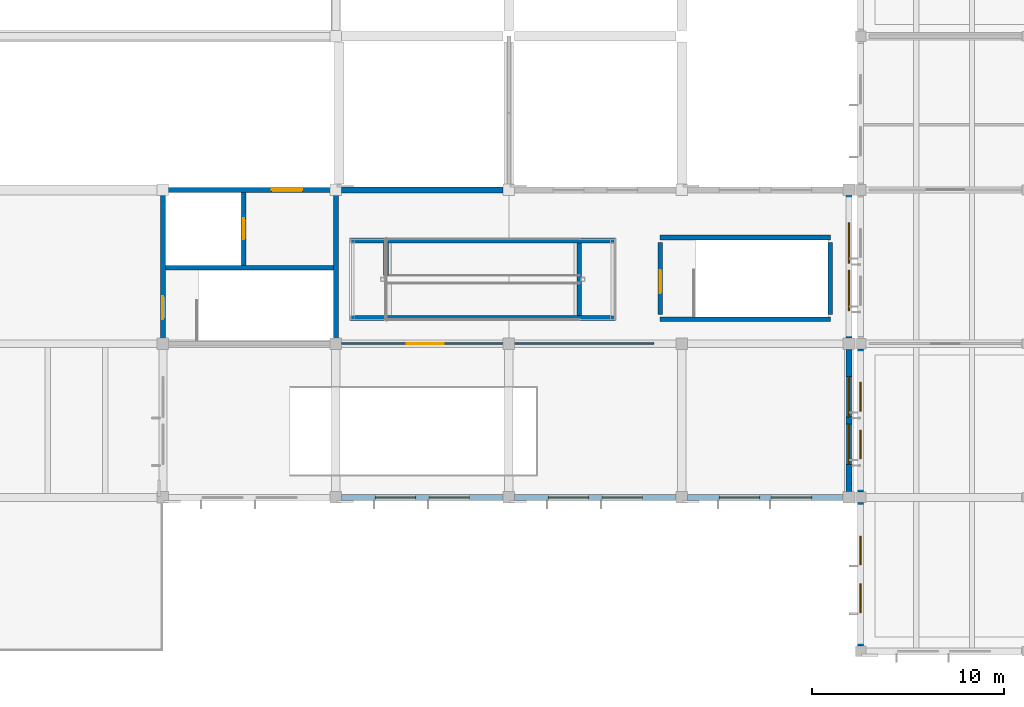
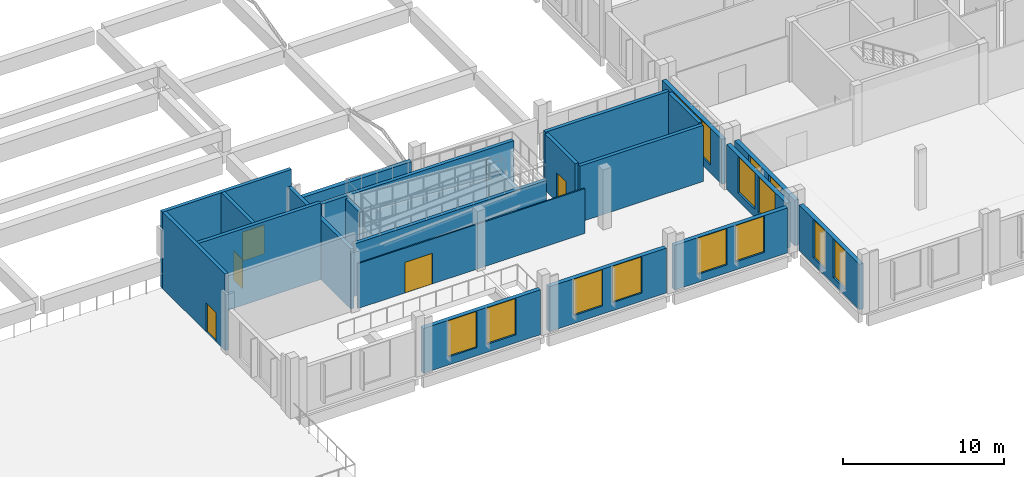
# One storey, part 35 of 63: 22 walls, 14 windows, 5 doors, 19 openings.
"""IFC4 building model written with IfcOpenShell, lengths in metres."""

from ifc_helpers import new_model, si_unit, direction, frame, frame_2d, origin, place, context, subcontext, project, spatial, rectangle, extrude, material, layer, layer_set, type_object, element, fill, save


model = new_model("IFC4")

# Units and contexts
model_context = context("Model", 3, precision=1e-05, world=origin(), true_north=direction((0.0, 1.0)))
body_context = subcontext(model_context, "Body", "Model", "MODEL_VIEW")
ifc_project = project(units=[si_unit("LENGTHUNIT", "METRE"), si_unit("AREAUNIT", "SQUARE_METRE"), si_unit("VOLUMEUNIT", "CUBIC_METRE"), si_unit("PLANEANGLEUNIT", "RADIAN"), si_unit("MASSUNIT", "GRAM", prefix="KILO")], contexts=[model_context])

# Site, building, storey
site_placement = place(None, origin())
site = spatial("IfcSite", under=ifc_project, at=site_placement, CompositionType="ELEMENT")
building_placement = place(site_placement, origin())
building = spatial("IfcBuilding", under=site, at=building_placement, Name="Zacnel Wholesale Market", CompositionType="ELEMENT")
storey_placement = place(building_placement, frame((0.0, 0.0, 11.199951171875)))
storey = spatial("IfcBuildingStorey", under=building, at=storey_placement, Name="L03", CompositionType="ELEMENT", Elevation=11.199951171875)

# Wall, opening, door
ifc_material_1 = material(Name="Concrete C40/50", Category="concrete")
ifc_layer_1 = layer(ifc_material_1, 0.25)
ifc_layer_set_1 = layer_set([ifc_layer_1], Name="Concrete C40/50")
wall_type_1 = type_object("IfcWallType", Name="WL-CORE-SW250", PredefinedType="SOLIDWALL", material=ifc_layer_set_1)
wall_1_placement = place(storey_placement, frame((107.875, 24.0, 0.0), z_axis=(0.0, 0.0, 1.0), x_axis=(1.0, 0.0, 0.0)))
wall_1 = element("IfcWall", 1, at=wall_1_placement, inside=storey, type_object=wall_type_1, Name="Core C8 north shear wall L03", PredefinedType="SOLIDWALL", context=body_context, shape_type="SweptSolid", body=[
    extrude(rectangle(XDim=9.25, YDim=0.25, at=frame_2d((4.625, 0.0))), origin(), (0.0, 0.0, 1.0), 5.800048828125),
])
opening_1_placement = place(wall_1_placement, frame((5.77490234375, 0.0, 0.0)))
opening_1 = element("IfcOpeningElement", 2, at=opening_1_placement, cuts=wall_1, Name="Opening FD-02", PredefinedType="OPENING", context=body_context, shape_type="SweptSolid", body=[
    extrude(rectangle(XDim=1.60009765625, YDim=2.199951171875, at=frame_2d((0.800048828125, 1.10009765625))), frame((0.0, 0.135009765625, 0.0), z_axis=(0.0, -1.0, 0.0), x_axis=(1.0, 0.0, 0.0)), (0.0, 0.0, 1.0), 0.27001953125),
])
ifc_material_2 = material(Name="Galvanized steel", Category="steel")
door_type_1 = type_object("IfcDoorType", Name="DR-FIRE-LOBBY-1600", OperationType="NOTDEFINED", PredefinedType="DOOR", material=ifc_material_2)
door_1_placement = place(opening_1_placement, origin())
door_1 = element("IfcDoor", 3, at=door_1_placement, inside=storey, type_object=door_type_1, Name="Core lift lobby fire door C8 L03", OperationType="SINGLE_SWING_RIGHT", OverallHeight=2.199951171875, OverallWidth=1.60009765625, PredefinedType="DOOR", context=body_context, shape_type="SweptSolid", body=[
    extrude(rectangle(XDim=1.60009765625, YDim=2.199951171875, at=frame_2d((0.800048828125, 1.10009765625))), frame((0.0, 0.02490234375, 0.0), z_axis=(0.0, -1.0, 0.0), x_axis=(1.0, 0.0, 0.0)), (0.0, 0.0, 1.0), 0.050048828125),
])
fill(opening_1, door_1)

wall_2_placement = place(storey_placement, frame((108.0, 16.125, 0.0), z_axis=(0.0, 0.0, 1.0), x_axis=(0.0, 1.0, 0.0)))
wall_2 = element("IfcWall", 4, at=wall_2_placement, inside=storey, type_object=wall_type_1, Name="Core C8 west shear wall L03", PredefinedType="SOLIDWALL", context=body_context, shape_type="SweptSolid", body=[
    extrude(rectangle(XDim=7.75, YDim=0.25, at=frame_2d((3.875, 0.0))), origin(), (0.0, 0.0, 1.0), 5.800048828125),
])
opening_2_placement = place(wall_2_placement, frame((1.14990234375, 0.0, 0.0)))
opening_2 = element("IfcOpeningElement", 5, at=opening_2_placement, cuts=wall_2, Name="Opening FD-01", PredefinedType="OPENING", context=body_context, shape_type="SweptSolid", body=[
    extrude(rectangle(XDim=1.199951171875, YDim=2.199951171875, at=frame_2d((0.60009765625, 1.10009765625))), frame((0.0, 0.135009765625, 0.0), z_axis=(0.0, -1.0, 0.0), x_axis=(1.0, 0.0, 0.0)), (0.0, 0.0, 1.0), 0.27001953125),
])
ifc_material_3 = material(Name="Galvanized steel", Category="steel")
door_type_2 = type_object("IfcDoorType", Name="DR-FIRE-STAIR-1200", OperationType="NOTDEFINED", PredefinedType="DOOR", material=ifc_material_3)
door_2_placement = place(opening_2_placement, origin())
door_2 = element("IfcDoor", 6, at=door_2_placement, inside=storey, type_object=door_type_2, Name="Protected stair fire door C8 L03", OperationType="SINGLE_SWING_LEFT", OverallHeight=2.199951171875, OverallWidth=1.199951171875, PredefinedType="DOOR", context=body_context, shape_type="SweptSolid", body=[
    extrude(rectangle(XDim=1.199951171875, YDim=2.199951171875, at=frame_2d((0.60009765625, 1.10009765625))), frame((0.0, 0.02490234375, 0.0), z_axis=(0.0, -1.0, 0.0), x_axis=(1.0, 0.0, 0.0)), (0.0, 0.0, 1.0), 0.050048828125),
])
fill(opening_2, door_2)

# Walls
wall_3_placement = place(storey_placement, frame((117.0, 16.125, 0.0), z_axis=(0.0, 0.0, 1.0), x_axis=(0.0, 1.0, 0.0)))
element("IfcWall", 7, at=wall_3_placement, inside=storey, type_object=wall_type_1, Name="Core C8 east shear wall L03", PredefinedType="SOLIDWALL", context=body_context, shape_type="SweptSolid", body=[
    extrude(rectangle(XDim=7.75, YDim=0.25, at=frame_2d((3.875, 0.0))), origin(), (0.0, 0.0, 1.0), 4.550048828125),
])
wall_4_placement = place(storey_placement, frame((108.125, 19.949951171875, 0.0), z_axis=(0.0, 0.0, 1.0), x_axis=(1.0, 0.0, 0.0)))
element("IfcWall", 8, at=wall_4_placement, inside=storey, type_object=wall_type_1, Name="Core C8 stair-shaft shear wall L03", PredefinedType="SOLIDWALL", context=body_context, shape_type="SweptSolid", body=[
    extrude(rectangle(XDim=8.75, YDim=0.25, at=frame_2d((4.375, 0.0))), origin(), (0.0, 0.0, 1.0), 5.800048828125),
])

# Wall, opening, door
wall_5_placement = place(storey_placement, frame((112.199951171875, 20.074951171875, 0.0), z_axis=(0.0, 0.0, 1.0), x_axis=(0.0, 1.0, 0.0)))
wall_5 = element("IfcWall", 9, at=wall_5_placement, inside=storey, type_object=wall_type_1, Name="Core C8 lift shaft front wall L03", PredefinedType="SOLIDWALL", context=body_context, shape_type="SweptSolid", body=[
    extrude(rectangle(XDim=3.800048828125, YDim=0.25, at=frame_2d((1.89990234375, 0.0))), origin(), (0.0, 0.0, 1.0), 5.800048828125),
])
opening_3_placement = place(wall_5_placement, frame((1.35009765625, 0.0, 0.0)))
opening_3 = element("IfcOpeningElement", 10, at=opening_3_placement, cuts=wall_5, Name="Opening LD-01", PredefinedType="OPENING", context=body_context, shape_type="SweptSolid", body=[
    extrude(rectangle(XDim=1.10009765625, YDim=2.199951171875, at=frame_2d((0.550048828125, 1.10009765625))), frame((0.0, 0.135009765625, 0.0), z_axis=(0.0, -1.0, 0.0), x_axis=(1.0, 0.0, 0.0)), (0.0, 0.0, 1.0), 0.27001953125),
])
ifc_material_4 = material(Name="Galvanized steel", Category="steel")
door_type_3 = type_object("IfcDoorType", Name="DR-LIFT-PASS-1100", OperationType="NOTDEFINED", PredefinedType="DOOR", material=ifc_material_4)
door_3_placement = place(opening_3_placement, origin())
door_3 = element("IfcDoor", 11, at=door_3_placement, inside=storey, type_object=door_type_3, Name="Lift landing door LP-04 L03", OperationType="SLIDING_TO_LEFT", OverallHeight=2.199951171875, OverallWidth=1.10009765625, PredefinedType="DOOR", context=body_context, shape_type="SweptSolid", body=[
    extrude(rectangle(XDim=1.10009765625, YDim=2.199951171875, at=frame_2d((0.550048828125, 1.10009765625))), frame((0.0, 0.02490234375, 0.0), z_axis=(0.0, -1.0, 0.0), x_axis=(1.0, 0.0, 0.0)), (0.0, 0.0, 1.0), 0.050048828125),
])
fill(opening_3, door_3)

# Walls
for number, where, z_axis, x_axis, name in (
    (12, (133.875, 17.27490234375, 0.0), (0.0, 0.0, 1.0), (1.0, 0.0, 0.0), "Stair ST-25 south enclosure wall L03"),
    (13, (133.875, 21.52490234375, 0.0), (0.0, 0.0, 1.0), (1.0, 0.0, 0.0), "Stair ST-25 north enclosure wall L03"),
):
    element("IfcWall", number, at=place(storey_placement, frame(where, z_axis=z_axis, x_axis=x_axis)), inside=storey, type_object=wall_type_1, Name=name, PredefinedType="SOLIDWALL", context=body_context, shape_type="SweptSolid", body=[
        extrude(rectangle(XDim=8.85009765625, YDim=0.25, at=frame_2d((4.425048828125, 0.0))), origin(), (0.0, 0.0, 1.0), 4.25),
    ])

# Wall, opening, door
wall_6_placement = place(storey_placement, frame((133.875, 17.52490234375, 0.0), z_axis=(0.0, 0.0, 1.0), x_axis=(0.0, 1.0, 0.0)))
wall_6 = element("IfcWall", 14, at=wall_6_placement, inside=storey, type_object=wall_type_1, Name="Stair ST-25 west enclosure wall L03", PredefinedType="SOLIDWALL", context=body_context, shape_type="SweptSolid", body=[
    extrude(rectangle(XDim=3.75, YDim=0.25, at=frame_2d((1.875, 0.0))), origin(), (0.0, 0.0, 1.0), 4.25),
])
opening_4_placement = place(wall_6_placement, frame((1.10009765625, 0.0, 0.0)))
opening_4 = element("IfcOpeningElement", 15, at=opening_4_placement, cuts=wall_6, Name="Opening FD-01", PredefinedType="OPENING", context=body_context, shape_type="SweptSolid", body=[
    extrude(rectangle(XDim=1.199951171875, YDim=2.199951171875, at=frame_2d((0.60009765625, 1.10009765625))), frame((0.0, 0.135009765625, 0.0), z_axis=(0.0, -1.0, 0.0), x_axis=(1.0, 0.0, 0.0)), (0.0, 0.0, 1.0), 0.27001953125),
])
door_4_placement = place(opening_4_placement, origin())
door_4 = element("IfcDoor", 16, at=door_4_placement, inside=storey, type_object=door_type_2, Name="Stair ST-25 fire door L03", OperationType="SINGLE_SWING_RIGHT", OverallHeight=2.199951171875, OverallWidth=1.199951171875, PredefinedType="DOOR", context=body_context, shape_type="SweptSolid", body=[
    extrude(rectangle(XDim=1.199951171875, YDim=2.199951171875, at=frame_2d((0.60009765625, 1.10009765625))), frame((0.0, 0.02490234375, 0.0), z_axis=(0.0, -1.0, 0.0), x_axis=(1.0, 0.0, 0.0)), (0.0, 0.0, 1.0), 0.050048828125),
])
fill(opening_4, door_4)

# Walls
wall_7_placement = place(storey_placement, frame((142.72509765625, 17.52490234375, 0.0), z_axis=(0.0, 0.0, 1.0), x_axis=(0.0, 1.0, 0.0)))
element("IfcWall", 17, at=wall_7_placement, inside=storey, type_object=wall_type_1, Name="Stair ST-25 east enclosure wall L03", PredefinedType="SOLIDWALL", context=body_context, shape_type="SweptSolid", body=[
    extrude(rectangle(XDim=3.75, YDim=0.25, at=frame_2d((1.875, 0.0))), origin(), (0.0, 0.0, 1.0), 4.25),
])
wall_8_placement = place(storey_placement, frame((117.75, 17.330078125, 0.0), z_axis=(0.0, 0.0, 1.0), x_axis=(1.0, 0.0, 0.0)))
element("IfcWall", 18, at=wall_8_placement, inside=storey, type_object=wall_type_1, Name="Accessible ramp RP-05 (RMP-PROM-3) Mayan limestone plinth wall S", PredefinedType="SOLIDWALL", context=body_context, shape_type="SweptSolid", body=[
    extrude(rectangle(XDim=13.76611328125, YDim=0.25, at=frame_2d((6.883056640625, 0.0))), origin(), (0.0, 0.0, 1.0), 3.96142578125),
])
wall_9_placement = place(storey_placement, frame((117.75, 21.3701171875, 0.0), z_axis=(0.0, 0.0, 1.0), x_axis=(1.0, 0.0, 0.0)))
element("IfcWall", 19, at=wall_9_placement, inside=storey, type_object=wall_type_1, Name="Accessible ramp RP-05 (RMP-PROM-3) Mayan limestone plinth wall N", PredefinedType="SOLIDWALL", context=body_context, shape_type="SweptSolid", body=[
    extrude(rectangle(XDim=13.76611328125, YDim=0.25, at=frame_2d((6.883056640625, 0.0))), origin(), (0.0, 0.0, 1.0), 4.530029296875),
])
wall_10_placement = place(storey_placement, frame((129.666015625, 17.455078125, 0.0), z_axis=(0.0, 0.0, 1.0), x_axis=(0.0, 1.0, 0.0)))
element("IfcWall", 20, at=wall_10_placement, inside=storey, type_object=wall_type_1, Name="Accessible ramp RP-05 (RMP-PROM-3) end plinth wall 7", PredefinedType="SOLIDWALL", context=body_context, shape_type="SweptSolid", body=[
    extrude(rectangle(XDim=3.7900390625, YDim=0.25, at=frame_2d((1.89501953125, 0.0))), origin(), (0.0, 0.0, 1.0), 3.766357421875),
])
wall_11_placement = place(storey_placement, frame((119.60009765625, 19.550048828125, 0.0), z_axis=(0.0, 0.0, 1.0), x_axis=(0.0, 1.0, 0.0)))
element("IfcWall", 21, at=wall_11_placement, inside=storey, type_object=wall_type_1, Name="Accessible ramp RP-05 (RMP-PROM-3) end plinth wall 8", PredefinedType="SOLIDWALL", context=body_context, shape_type="SweptSolid", body=[
    extrude(rectangle(XDim=1.695068359375, YDim=0.25, at=frame_2d((0.84765625, 0.0))), origin(), (0.0, 0.0, 1.0), 4.3349609375),
])

# Wall, openings, windows
ifc_material_5 = material(Name="Precast concrete C40/50 (Cancun limestone aggregate)", Category="masonry")
ifc_layer_2 = layer(ifc_material_5, 0.300048828125)
ifc_layer_set_2 = layer_set([ifc_layer_2], Name="Precast concrete C40/50 (Cancun limestone aggregate)")
wall_type_2 = type_object("IfcWallType", Name="WL-EXT-LIME-300", PredefinedType="SOLIDWALL", material=ifc_layer_set_2)
wall_12_placement = place(storey_placement, frame((117.300048828125, 8.0, 0.0), z_axis=(0.0, 0.0, 1.0), x_axis=(1.0, 0.0, 0.0)))
wall_12 = element("IfcWall", 22, at=wall_12_placement, inside=storey, type_object=wall_type_2, Name="Exterior wall L03-0368", PredefinedType="SOLIDWALL", context=body_context, shape_type="SweptSolid", body=[
    extrude(rectangle(XDim=8.39990234375, YDim=0.300048828125, at=frame_2d((4.199951171875, 0.0))), origin(), (0.0, 0.0, 1.0), 3.400146484375),
])
opening_5_placement = place(wall_12_placement, frame((1.75, 0.0, 0.610107421875)))
opening_5 = element("IfcOpeningElement", 23, at=opening_5_placement, cuts=wall_12, Name="Opening W-05", PredefinedType="OPENING", context=body_context, shape_type="SweptSolid", body=[
    extrude(rectangle(XDim=2.10009765625, YDim=2.75, at=frame_2d((1.050048828125, 1.375))), frame((0.0, 0.159912109375, 0.0), z_axis=(0.0, -1.0, 0.0), x_axis=(1.0, 0.0, 0.0)), (0.0, 0.0, 1.0), 0.320068359375),
])
opening_6_placement = place(wall_12_placement, frame((4.550048828125, 0.0, 0.610107421875)))
opening_6 = element("IfcOpeningElement", 24, at=opening_6_placement, cuts=wall_12, Name="Opening W-05", PredefinedType="OPENING", context=body_context, shape_type="SweptSolid", body=[
    extrude(rectangle(XDim=2.10009765625, YDim=2.75, at=frame_2d((1.050048828125, 1.375))), frame((0.0, 0.159912109375, 0.0), z_axis=(0.0, -1.0, 0.0), x_axis=(1.0, 0.0, 0.0)), (0.0, 0.0, 1.0), 0.320068359375),
])
ifc_material_6 = material(Name="Laminated hurricane-impact low-E insulated glass", Category="glass")
window_type_1 = type_object("IfcWindowType", Name="WIN-LAB-2100X2750", PartitioningType="DOUBLE_PANEL_VERTICAL", PredefinedType="WINDOW", material=ifc_material_6)
window_1_placement = place(opening_5_placement, origin())
window_1 = element("IfcWindow", 25, at=window_1_placement, inside=storey, type_object=window_type_1, Name="Window L03-0369", OverallHeight=2.75, OverallWidth=2.10009765625, PartitioningType="DOUBLE_PANEL_VERTICAL", PredefinedType="WINDOW", context=body_context, shape_type="SweptSolid", body=[
    extrude(rectangle(XDim=2.10009765625, YDim=2.75, at=frame_2d((1.050048828125, 1.375))), frame((0.0, 0.030029296875, 0.0), z_axis=(0.0, -1.0, 0.0), x_axis=(1.0, 0.0, 0.0)), (0.0, 0.0, 1.0), 0.06005859375),
])
fill(opening_5, window_1)
window_2_placement = place(opening_6_placement, origin())
window_2 = element("IfcWindow", 26, at=window_2_placement, inside=storey, type_object=window_type_1, Name="Window L03-0370", OverallHeight=2.75, OverallWidth=2.10009765625, PartitioningType="DOUBLE_PANEL_VERTICAL", PredefinedType="WINDOW", context=body_context, shape_type="SweptSolid", body=[
    extrude(rectangle(XDim=2.10009765625, YDim=2.75, at=frame_2d((1.050048828125, 1.375))), frame((0.0, 0.030029296875, 0.0), z_axis=(0.0, -1.0, 0.0), x_axis=(1.0, 0.0, 0.0)), (0.0, 0.0, 1.0), 0.06005859375),
])
fill(opening_6, window_2)

wall_13_placement = place(storey_placement, frame((126.300048828125, 8.0, 0.0), z_axis=(0.0, 0.0, 1.0), x_axis=(1.0, 0.0, 0.0)))
wall_13 = element("IfcWall", 27, at=wall_13_placement, inside=storey, type_object=wall_type_2, Name="Exterior wall L03-0369", PredefinedType="SOLIDWALL", context=body_context, shape_type="SweptSolid", body=[
    extrude(rectangle(XDim=8.39990234375, YDim=0.300048828125, at=frame_2d((4.199951171875, 0.0))), origin(), (0.0, 0.0, 1.0), 3.400146484375),
])
opening_7_placement = place(wall_13_placement, frame((1.75, 0.0, 0.610107421875)))
opening_7 = element("IfcOpeningElement", 28, at=opening_7_placement, cuts=wall_13, Name="Opening W-05", PredefinedType="OPENING", context=body_context, shape_type="SweptSolid", body=[
    extrude(rectangle(XDim=2.10009765625, YDim=2.75, at=frame_2d((1.050048828125, 1.375))), frame((0.0, 0.159912109375, 0.0), z_axis=(0.0, -1.0, 0.0), x_axis=(1.0, 0.0, 0.0)), (0.0, 0.0, 1.0), 0.320068359375),
])
opening_8_placement = place(wall_13_placement, frame((4.550048828125, 0.0, 0.610107421875)))
opening_8 = element("IfcOpeningElement", 29, at=opening_8_placement, cuts=wall_13, Name="Opening W-05", PredefinedType="OPENING", context=body_context, shape_type="SweptSolid", body=[
    extrude(rectangle(XDim=2.10009765625, YDim=2.75, at=frame_2d((1.050048828125, 1.375))), frame((0.0, 0.159912109375, 0.0), z_axis=(0.0, -1.0, 0.0), x_axis=(1.0, 0.0, 0.0)), (0.0, 0.0, 1.0), 0.320068359375),
])
window_3_placement = place(opening_7_placement, origin())
window_3 = element("IfcWindow", 30, at=window_3_placement, inside=storey, type_object=window_type_1, Name="Window L03-0371", OverallHeight=2.75, OverallWidth=2.10009765625, PartitioningType="DOUBLE_PANEL_VERTICAL", PredefinedType="WINDOW", context=body_context, shape_type="SweptSolid", body=[
    extrude(rectangle(XDim=2.10009765625, YDim=2.75, at=frame_2d((1.050048828125, 1.375))), frame((0.0, 0.030029296875, 0.0), z_axis=(0.0, -1.0, 0.0), x_axis=(1.0, 0.0, 0.0)), (0.0, 0.0, 1.0), 0.06005859375),
])
fill(opening_7, window_3)
window_4_placement = place(opening_8_placement, origin())
window_4 = element("IfcWindow", 31, at=window_4_placement, inside=storey, type_object=window_type_1, Name="Window L03-0372", OverallHeight=2.75, OverallWidth=2.10009765625, PartitioningType="DOUBLE_PANEL_VERTICAL", PredefinedType="WINDOW", context=body_context, shape_type="SweptSolid", body=[
    extrude(rectangle(XDim=2.10009765625, YDim=2.75, at=frame_2d((1.050048828125, 1.375))), frame((0.0, 0.030029296875, 0.0), z_axis=(0.0, -1.0, 0.0), x_axis=(1.0, 0.0, 0.0)), (0.0, 0.0, 1.0), 0.06005859375),
])
fill(opening_8, window_4)

wall_14_placement = place(storey_placement, frame((135.300048828125, 8.0, 0.0), z_axis=(0.0, 0.0, 1.0), x_axis=(1.0, 0.0, 0.0)))
wall_14 = element("IfcWall", 32, at=wall_14_placement, inside=storey, type_object=wall_type_2, Name="Exterior wall L03-0370", PredefinedType="SOLIDWALL", context=body_context, shape_type="SweptSolid", body=[
    extrude(rectangle(XDim=8.099853515625, YDim=0.300048828125, at=frame_2d((4.0498046875, 0.0))), origin(), (0.0, 0.0, 1.0), 3.400146484375),
])
opening_9_placement = place(wall_14_placement, frame((1.64990234375, 0.0, 0.610107421875)))
opening_9 = element("IfcOpeningElement", 33, at=opening_9_placement, cuts=wall_14, Name="Opening W-05", PredefinedType="OPENING", context=body_context, shape_type="SweptSolid", body=[
    extrude(rectangle(XDim=2.10009765625, YDim=2.75, at=frame_2d((1.050048828125, 1.375))), frame((0.0, 0.159912109375, 0.0), z_axis=(0.0, -1.0, 0.0), x_axis=(1.0, 0.0, 0.0)), (0.0, 0.0, 1.0), 0.320068359375),
])
opening_10_placement = place(wall_14_placement, frame((4.35009765625, 0.0, 0.610107421875)))
opening_10 = element("IfcOpeningElement", 34, at=opening_10_placement, cuts=wall_14, Name="Opening W-05", PredefinedType="OPENING", context=body_context, shape_type="SweptSolid", body=[
    extrude(rectangle(XDim=2.10009765625, YDim=2.75, at=frame_2d((1.050048828125, 1.375))), frame((0.0, 0.159912109375, 0.0), z_axis=(0.0, -1.0, 0.0), x_axis=(1.0, 0.0, 0.0)), (0.0, 0.0, 1.0), 0.320068359375),
])
window_5_placement = place(opening_9_placement, origin())
window_5 = element("IfcWindow", 35, at=window_5_placement, inside=storey, type_object=window_type_1, Name="Window L03-0373", OverallHeight=2.75, OverallWidth=2.10009765625, PartitioningType="DOUBLE_PANEL_VERTICAL", PredefinedType="WINDOW", context=body_context, shape_type="SweptSolid", body=[
    extrude(rectangle(XDim=2.10009765625, YDim=2.75, at=frame_2d((1.050048828125, 1.375))), frame((0.0, 0.030029296875, 0.0), z_axis=(0.0, -1.0, 0.0), x_axis=(1.0, 0.0, 0.0)), (0.0, 0.0, 1.0), 0.06005859375),
])
fill(opening_9, window_5)
window_6_placement = place(opening_10_placement, origin())
window_6 = element("IfcWindow", 36, at=window_6_placement, inside=storey, type_object=window_type_1, Name="Window L03-0374", OverallHeight=2.75, OverallWidth=2.10009765625, PartitioningType="DOUBLE_PANEL_VERTICAL", PredefinedType="WINDOW", context=body_context, shape_type="SweptSolid", body=[
    extrude(rectangle(XDim=2.10009765625, YDim=2.75, at=frame_2d((1.050048828125, 1.375))), frame((0.0, 0.030029296875, 0.0), z_axis=(0.0, -1.0, 0.0), x_axis=(1.0, 0.0, 0.0)), (0.0, 0.0, 1.0), 0.06005859375),
])
fill(opening_10, window_6)

# Wall
wall_15_placement = place(storey_placement, frame((117.300048828125, 24.0, 0.0), z_axis=(0.0, 0.0, 1.0), x_axis=(1.0, 0.0, 0.0)))
element("IfcWall", 37, at=wall_15_placement, inside=storey, type_object=wall_type_2, Name="Exterior wall L03-0371", PredefinedType="SOLIDWALL", context=body_context, shape_type="SweptSolid", body=[
    extrude(rectangle(XDim=8.39990234375, YDim=0.300048828125, at=frame_2d((4.199951171875, 0.0))), origin(), (0.0, 0.0, 1.0), 3.400146484375),
])

# Wall, openings, windows
wall_16_placement = place(storey_placement, frame((143.699951171875, 8.300048828125, 0.0), z_axis=(0.0, 0.0, 1.0), x_axis=(0.0, 1.0, 0.0)))
wall_16 = element("IfcWall", 38, at=wall_16_placement, inside=storey, type_object=wall_type_2, Name="Exterior wall L03-0375", PredefinedType="SOLIDWALL", context=body_context, shape_type="SweptSolid", body=[
    extrude(rectangle(XDim=7.39990234375, YDim=0.300048828125, at=frame_2d((3.699951171875, 0.0))), origin(), (0.0, 0.0, 1.0), 3.400146484375),
])
opening_11_placement = place(wall_16_placement, frame((1.4169921875, 0.0, 0.610107421875)))
opening_11 = element("IfcOpeningElement", 39, at=opening_11_placement, cuts=wall_16, Name="Opening W-05", PredefinedType="OPENING", context=body_context, shape_type="SweptSolid", body=[
    extrude(rectangle(XDim=2.10009765625, YDim=2.75, at=frame_2d((1.050048828125, 1.375))), frame((0.0, 0.159912109375, 0.0), z_axis=(0.0, -1.0, 0.0), x_axis=(1.0, 0.0, 0.0)), (0.0, 0.0, 1.0), 0.320068359375),
])
opening_12_placement = place(wall_16_placement, frame((3.883056640625, 0.0, 0.610107421875)))
opening_12 = element("IfcOpeningElement", 40, at=opening_12_placement, cuts=wall_16, Name="Opening W-05", PredefinedType="OPENING", context=body_context, shape_type="SweptSolid", body=[
    extrude(rectangle(XDim=2.10009765625, YDim=2.75, at=frame_2d((1.050048828125, 1.375))), frame((0.0, 0.159912109375, 0.0), z_axis=(0.0, -1.0, 0.0), x_axis=(1.0, 0.0, 0.0)), (0.0, 0.0, 1.0), 0.320068359375),
])
window_7_placement = place(opening_11_placement, origin())
window_7 = element("IfcWindow", 41, at=window_7_placement, inside=storey, type_object=window_type_1, Name="Window L03-0381", OverallHeight=2.75, OverallWidth=2.10009765625, PartitioningType="DOUBLE_PANEL_VERTICAL", PredefinedType="WINDOW", context=body_context, shape_type="SweptSolid", body=[
    extrude(rectangle(XDim=2.10009765625, YDim=2.75, at=frame_2d((1.050048828125, 1.375))), frame((0.0, 0.030029296875, 0.0), z_axis=(0.0, -1.0, 0.0), x_axis=(1.0, 0.0, 0.0)), (0.0, 0.0, 1.0), 0.06005859375),
])
fill(opening_11, window_7)
window_8_placement = place(opening_12_placement, origin())
window_8 = element("IfcWindow", 42, at=window_8_placement, inside=storey, type_object=window_type_1, Name="Window L03-0382", OverallHeight=2.75, OverallWidth=2.10009765625, PartitioningType="DOUBLE_PANEL_VERTICAL", PredefinedType="WINDOW", context=body_context, shape_type="SweptSolid", body=[
    extrude(rectangle(XDim=2.10009765625, YDim=2.75, at=frame_2d((1.050048828125, 1.375))), frame((0.0, 0.030029296875, 0.0), z_axis=(0.0, -1.0, 0.0), x_axis=(1.0, 0.0, 0.0)), (0.0, 0.0, 1.0), 0.06005859375),
])
fill(opening_12, window_8)

wall_17_placement = place(storey_placement, frame((143.699951171875, 16.300048828125, 0.0), z_axis=(0.0, 0.0, 1.0), x_axis=(0.0, 1.0, 0.0)))
wall_17 = element("IfcWall", 43, at=wall_17_placement, inside=storey, type_object=wall_type_2, Name="Exterior wall L03-0376", PredefinedType="SOLIDWALL", context=body_context, shape_type="SweptSolid", body=[
    extrude(rectangle(XDim=7.39990234375, YDim=0.300048828125, at=frame_2d((3.699951171875, 0.0))), origin(), (0.0, 0.0, 1.0), 3.400146484375),
])
opening_13_placement = place(wall_17_placement, frame((1.4169921875, 0.0, 0.610107421875)))
opening_13 = element("IfcOpeningElement", 44, at=opening_13_placement, cuts=wall_17, Name="Opening W-05", PredefinedType="OPENING", context=body_context, shape_type="SweptSolid", body=[
    extrude(rectangle(XDim=2.10009765625, YDim=2.75, at=frame_2d((1.050048828125, 1.375))), frame((0.0, 0.159912109375, 0.0), z_axis=(0.0, -1.0, 0.0), x_axis=(1.0, 0.0, 0.0)), (0.0, 0.0, 1.0), 0.320068359375),
])
opening_14_placement = place(wall_17_placement, frame((3.883056640625, 0.0, 0.610107421875)))
opening_14 = element("IfcOpeningElement", 45, at=opening_14_placement, cuts=wall_17, Name="Opening W-05", PredefinedType="OPENING", context=body_context, shape_type="SweptSolid", body=[
    extrude(rectangle(XDim=2.10009765625, YDim=2.75, at=frame_2d((1.050048828125, 1.375))), frame((0.0, 0.159912109375, 0.0), z_axis=(0.0, -1.0, 0.0), x_axis=(1.0, 0.0, 0.0)), (0.0, 0.0, 1.0), 0.320068359375),
])
window_9_placement = place(opening_13_placement, origin())
window_9 = element("IfcWindow", 46, at=window_9_placement, inside=storey, type_object=window_type_1, Name="Window L03-0383", OverallHeight=2.75, OverallWidth=2.10009765625, PartitioningType="DOUBLE_PANEL_VERTICAL", PredefinedType="WINDOW", context=body_context, shape_type="SweptSolid", body=[
    extrude(rectangle(XDim=2.10009765625, YDim=2.75, at=frame_2d((1.050048828125, 1.375))), frame((0.0, 0.030029296875, 0.0), z_axis=(0.0, -1.0, 0.0), x_axis=(1.0, 0.0, 0.0)), (0.0, 0.0, 1.0), 0.06005859375),
])
fill(opening_13, window_9)
window_10_placement = place(opening_14_placement, origin())
window_10 = element("IfcWindow", 47, at=window_10_placement, inside=storey, type_object=window_type_1, Name="Window L03-0384", OverallHeight=2.75, OverallWidth=2.10009765625, PartitioningType="DOUBLE_PANEL_VERTICAL", PredefinedType="WINDOW", context=body_context, shape_type="SweptSolid", body=[
    extrude(rectangle(XDim=2.10009765625, YDim=2.75, at=frame_2d((1.050048828125, 1.375))), frame((0.0, 0.030029296875, 0.0), z_axis=(0.0, -1.0, 0.0), x_axis=(1.0, 0.0, 0.0)), (0.0, 0.0, 1.0), 0.06005859375),
])
fill(opening_14, window_10)

wall_18_placement = place(storey_placement, frame((144.300048828125, 0.27490234375, 0.0), z_axis=(0.0, 0.0, 1.0), x_axis=(0.0, 1.0, 0.0)))
wall_18 = element("IfcWall", 48, at=wall_18_placement, inside=storey, type_object=wall_type_2, Name="Exterior wall L03-0391", PredefinedType="SOLIDWALL", context=body_context, shape_type="SweptSolid", body=[
    extrude(rectangle(XDim=7.4501953125, YDim=0.300048828125, at=frame_2d((3.72509765625, 0.0))), origin(), (0.0, 0.0, 1.0), 3.449951171875),
])
opening_15_placement = place(wall_18_placement, frame((1.73291015625, 0.0, 0.510009765625)))
opening_15 = element("IfcOpeningElement", 49, at=opening_15_placement, cuts=wall_18, Name="Opening W-04", PredefinedType="OPENING", context=body_context, shape_type="SweptSolid", body=[
    extrude(rectangle(XDim=1.5, YDim=2.89990234375, at=frame_2d((0.75, 1.449951171875))), frame((0.0, 0.159912109375, 0.0), z_axis=(0.0, -1.0, 0.0), x_axis=(1.0, 0.0, 0.0)), (0.0, 0.0, 1.0), 0.320068359375),
])
opening_16_placement = place(wall_18_placement, frame((4.217041015625, 0.0, 0.510009765625)))
opening_16 = element("IfcOpeningElement", 50, at=opening_16_placement, cuts=wall_18, Name="Opening W-04", PredefinedType="OPENING", context=body_context, shape_type="SweptSolid", body=[
    extrude(rectangle(XDim=1.5, YDim=2.89990234375, at=frame_2d((0.75, 1.449951171875))), frame((0.0, 0.159912109375, 0.0), z_axis=(0.0, -1.0, 0.0), x_axis=(1.0, 0.0, 0.0)), (0.0, 0.0, 1.0), 0.320068359375),
])
ifc_material_7 = material(Name="Laminated hurricane-impact low-E insulated glass", Category="glass")
window_type_2 = type_object("IfcWindowType", Name="WIN-DEC-1500X2900", PartitioningType="DOUBLE_PANEL_VERTICAL", PredefinedType="WINDOW", material=ifc_material_7)
window_11_placement = place(opening_15_placement, origin())
window_11 = element("IfcWindow", 51, at=window_11_placement, inside=storey, type_object=window_type_2, Name="Window L03-0407", OverallHeight=2.89990234375, OverallWidth=1.5, PartitioningType="DOUBLE_PANEL_VERTICAL", PredefinedType="WINDOW", context=body_context, shape_type="SweptSolid", body=[
    extrude(rectangle(XDim=1.5, YDim=2.89990234375, at=frame_2d((0.75, 1.449951171875))), frame((0.0, 0.030029296875, 0.0), z_axis=(0.0, -1.0, 0.0), x_axis=(1.0, 0.0, 0.0)), (0.0, 0.0, 1.0), 0.06005859375),
])
fill(opening_15, window_11)
window_12_placement = place(opening_16_placement, origin())
window_12 = element("IfcWindow", 52, at=window_12_placement, inside=storey, type_object=window_type_2, Name="Window L03-0408", OverallHeight=2.89990234375, OverallWidth=1.5, PartitioningType="DOUBLE_PANEL_VERTICAL", PredefinedType="WINDOW", context=body_context, shape_type="SweptSolid", body=[
    extrude(rectangle(XDim=1.5, YDim=2.89990234375, at=frame_2d((0.75, 1.449951171875))), frame((0.0, 0.030029296875, 0.0), z_axis=(0.0, -1.0, 0.0), x_axis=(1.0, 0.0, 0.0)), (0.0, 0.0, 1.0), 0.06005859375),
])
fill(opening_16, window_12)

wall_19_placement = place(storey_placement, frame((144.300048828125, 8.27490234375, 0.0), z_axis=(0.0, 0.0, 1.0), x_axis=(0.0, 1.0, 0.0)))
wall_19 = element("IfcWall", 53, at=wall_19_placement, inside=storey, type_object=wall_type_2, Name="Exterior wall L03-0392", PredefinedType="SOLIDWALL", context=body_context, shape_type="SweptSolid", body=[
    extrude(rectangle(XDim=7.4501953125, YDim=0.300048828125, at=frame_2d((3.72509765625, 0.0))), origin(), (0.0, 0.0, 1.0), 3.449951171875),
])
opening_17_placement = place(wall_19_placement, frame((1.73291015625, 0.0, 0.510009765625)))
opening_17 = element("IfcOpeningElement", 54, at=opening_17_placement, cuts=wall_19, Name="Opening W-04", PredefinedType="OPENING", context=body_context, shape_type="SweptSolid", body=[
    extrude(rectangle(XDim=1.5, YDim=2.89990234375, at=frame_2d((0.75, 1.449951171875))), frame((0.0, 0.159912109375, 0.0), z_axis=(0.0, -1.0, 0.0), x_axis=(1.0, 0.0, 0.0)), (0.0, 0.0, 1.0), 0.320068359375),
])
opening_18_placement = place(wall_19_placement, frame((4.217041015625, 0.0, 0.510009765625)))
opening_18 = element("IfcOpeningElement", 55, at=opening_18_placement, cuts=wall_19, Name="Opening W-04", PredefinedType="OPENING", context=body_context, shape_type="SweptSolid", body=[
    extrude(rectangle(XDim=1.5, YDim=2.89990234375, at=frame_2d((0.75, 1.449951171875))), frame((0.0, 0.159912109375, 0.0), z_axis=(0.0, -1.0, 0.0), x_axis=(1.0, 0.0, 0.0)), (0.0, 0.0, 1.0), 0.320068359375),
])
window_13_placement = place(opening_17_placement, origin())
window_13 = element("IfcWindow", 56, at=window_13_placement, inside=storey, type_object=window_type_2, Name="Window L03-0409", OverallHeight=2.89990234375, OverallWidth=1.5, PartitioningType="DOUBLE_PANEL_VERTICAL", PredefinedType="WINDOW", context=body_context, shape_type="SweptSolid", body=[
    extrude(rectangle(XDim=1.5, YDim=2.89990234375, at=frame_2d((0.75, 1.449951171875))), frame((0.0, 0.030029296875, 0.0), z_axis=(0.0, -1.0, 0.0), x_axis=(1.0, 0.0, 0.0)), (0.0, 0.0, 1.0), 0.06005859375),
])
fill(opening_17, window_13)
window_14_placement = place(opening_18_placement, origin())
window_14 = element("IfcWindow", 57, at=window_14_placement, inside=storey, type_object=window_type_2, Name="Window L03-0410", OverallHeight=2.89990234375, OverallWidth=1.5, PartitioningType="DOUBLE_PANEL_VERTICAL", PredefinedType="WINDOW", context=body_context, shape_type="SweptSolid", body=[
    extrude(rectangle(XDim=1.5, YDim=2.89990234375, at=frame_2d((0.75, 1.449951171875))), frame((0.0, 0.030029296875, 0.0), z_axis=(0.0, -1.0, 0.0), x_axis=(1.0, 0.0, 0.0)), (0.0, 0.0, 1.0), 0.06005859375),
])
fill(opening_18, window_14)

# Wall, opening, door
ifc_material_8 = material(Name="Moisture-resistant gypsum board partition")
ifc_layer_3 = layer(ifc_material_8, 0.10009765625)
ifc_layer_set_3 = layer_set([ifc_layer_3], Name="Moisture-resistant gypsum board partition")
wall_type_3 = type_object("IfcWallType", Name="WL-PART-GYP100", PredefinedType="PARTITIONING", material=ifc_layer_set_3)
wall_20_placement = place(storey_placement, frame((117.300048828125, 16.0, 0.0), z_axis=(0.0, 0.0, 1.0), x_axis=(1.0, 0.0, 0.0)))
wall_20 = element("IfcWall", 58, at=wall_20_placement, inside=storey, type_object=wall_type_3, Name="Interior partition L03-0168", PredefinedType="PARTITIONING", context=body_context, shape_type="SweptSolid", body=[
    extrude(rectangle(XDim=16.25, YDim=0.10009765625, at=frame_2d((8.125, 0.0))), origin(), (0.0, 0.0, 1.0), 3.400146484375),
])
opening_19_placement = place(wall_20_placement, frame((3.3798828125, 0.0, 0.0)))
opening_19 = element("IfcOpeningElement", 59, at=opening_19_placement, cuts=wall_20, Name="Opening ID-16", PredefinedType="OPENING", context=body_context, shape_type="SweptSolid", body=[
    extrude(rectangle(XDim=1.93994140625, YDim=2.320068359375, at=frame_2d((0.969970703125, 1.16015625))), frame((0.0, 0.06005859375, 0.0), z_axis=(0.0, -1.0, 0.0), x_axis=(1.0, 0.0, 0.0)), (0.0, 0.0, 1.0), 0.1201171875),
])
ifc_material_9 = material(Name="Solid-core tropical hardwood door", Category="wood")
door_type_4 = type_object("IfcDoorType", Name="DR-HALL-DBL-1940", OperationType="NOTDEFINED", PredefinedType="DOOR", material=ifc_material_9)
door_5_placement = place(opening_19_placement, origin())
door_5 = element("IfcDoor", 60, at=door_5_placement, inside=storey, type_object=door_type_4, Name="Interior door L03-0132", OperationType="DOUBLE_DOOR_SINGLE_SWING", OverallHeight=2.320068359375, OverallWidth=1.93994140625, PredefinedType="DOOR", context=body_context, shape_type="SweptSolid", body=[
    extrude(rectangle(XDim=1.93994140625, YDim=2.320068359375, at=frame_2d((0.969970703125, 1.16015625))), frame((0.0, 0.02490234375, 0.0), z_axis=(0.0, -1.0, 0.0), x_axis=(1.0, 0.0, 0.0)), (0.0, 0.0, 1.0), 0.050048828125),
])
fill(opening_19, door_5)

save(model, "model.ifc")
